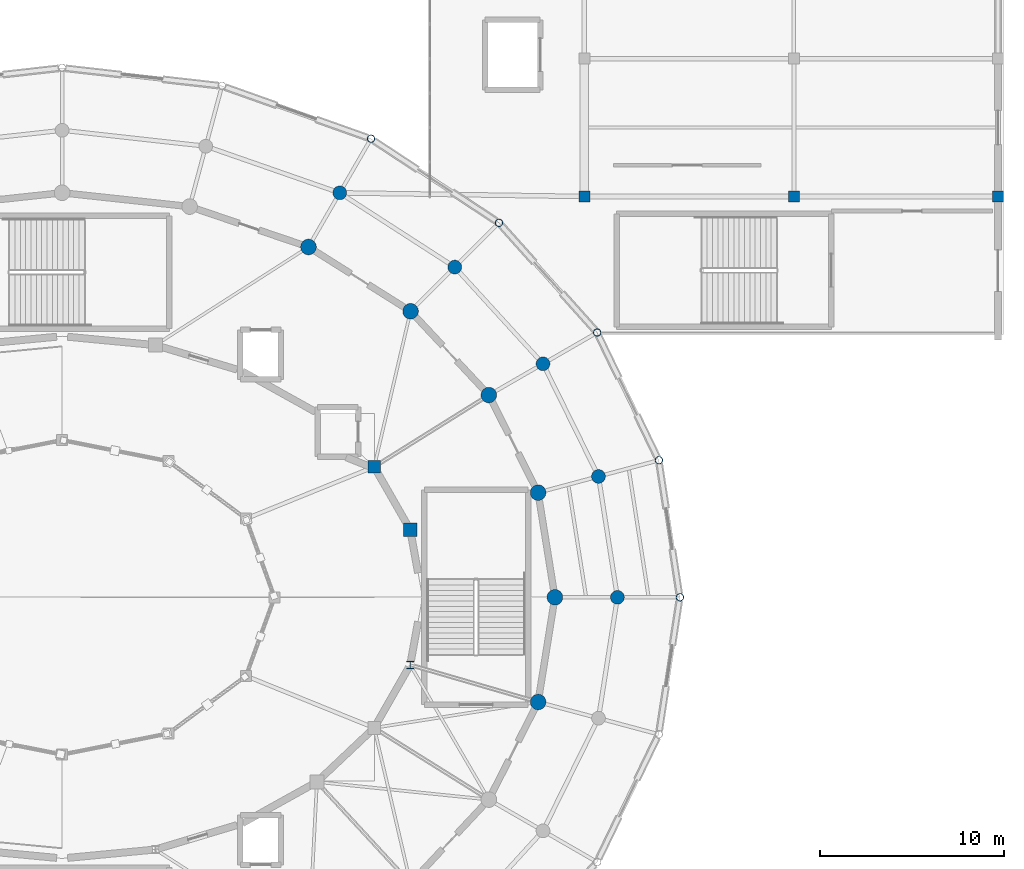
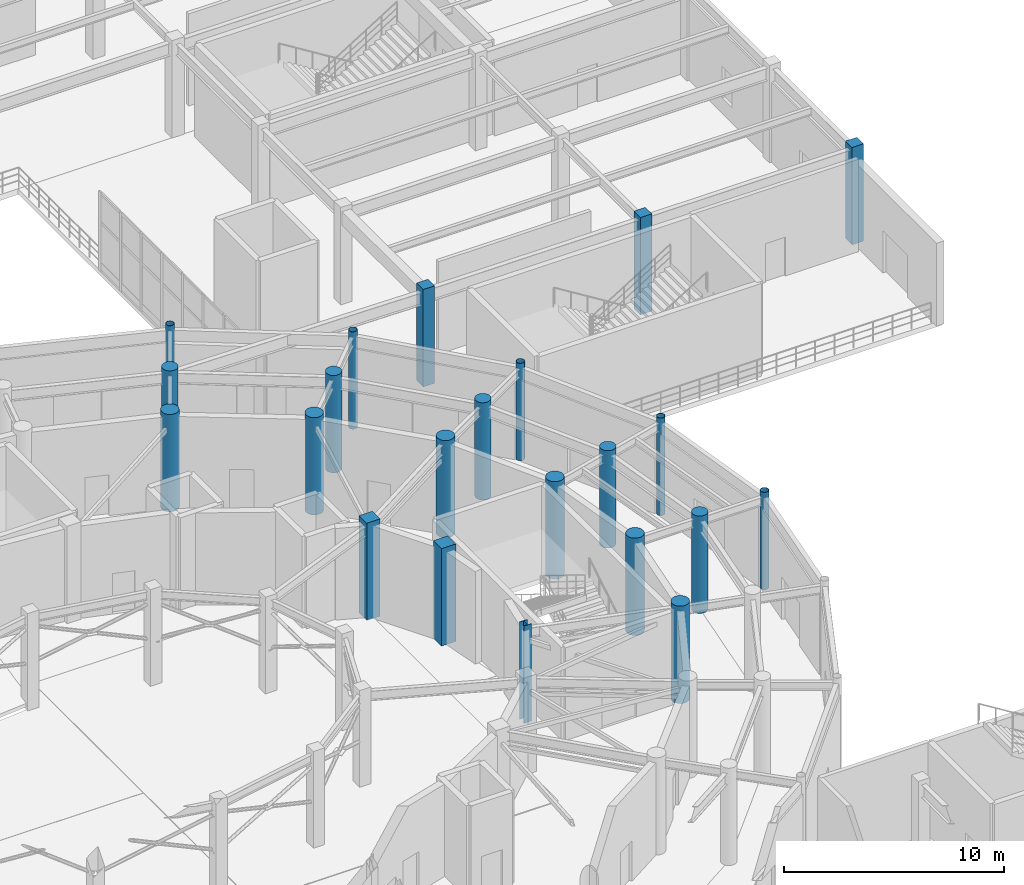
# One storey, part 17 of 93: 22 columns.
"""IFC4 building model written with IfcOpenShell, lengths in metres."""

from ifc_helpers import new_model, si_unit, direction, frame, origin, origin_2d, place, context, subcontext, project, spatial, rectangle, circle, hollow_circle, i_section, extrude, material, material_profile, profile_set, type_object, element, save


model = new_model("IFC4")

# Units and contexts
model_context = context("Model", 3, precision=1e-05, world=origin(), true_north=direction((0.0, 1.0)))
body_context = subcontext(model_context, "Body", "Model", "MODEL_VIEW")
ifc_project = project(units=[si_unit("LENGTHUNIT", "METRE"), si_unit("AREAUNIT", "SQUARE_METRE"), si_unit("VOLUMEUNIT", "CUBIC_METRE"), si_unit("PLANEANGLEUNIT", "RADIAN"), si_unit("MASSUNIT", "GRAM", prefix="KILO")], contexts=[model_context])

# Site, building, storey
site_placement = place(None, origin())
site = spatial("IfcSite", under=ifc_project, at=site_placement, CompositionType="ELEMENT")
building_placement = place(site_placement, origin())
building = spatial("IfcBuilding", under=site, at=building_placement, Name="Cinderbank Siding Concert Hall", CompositionType="ELEMENT")
storey_placement = place(building_placement, origin())
storey = spatial("IfcBuildingStorey", under=building, at=storey_placement, Name="L01", CompositionType="ELEMENT", Elevation=0.0)

# Columns
ifc_material_1 = material(Name="Structural steel hollow section AS/NZS 1163 Grade C350L0 (350 MPa)", Category="steel")
ifc_material_profile_1 = material_profile(ifc_material_1, hollow_circle(Radius=0.203125, WallThickness=0.01611328125, at=origin_2d()), Name="406.4x16.0CHS", Category="LoadBearing")
ifc_profile_set_1 = profile_set([ifc_material_profile_1], Name="Structural steel hollow section AS/NZS 1163 Grade C350L0 (350 MPa)")
column_type_1 = type_object("IfcColumnType", Name="C-CHS406 406.4x16.0CHS", PredefinedType="COLUMN", material=ifc_profile_set_1)
for number, where, z_axis, x_axis, name in (
    (1, (155.60009765625, 44.0, 0.0), (0.0, 0.0, 1.0), (1.0, 0.0, 0.0), "L01 Column COL-E4-01"),
    (2, (154.455078125, 51.4541015625, 0.0), (0.0, 0.0, 1.0), (1.0, 0.0, 0.0), "L01 Column COL-E4-02"),
    (3, (151.09912109375, 58.39990234375, 0.0), (0.0, 0.0, 1.0), (1.0, 0.0, 0.0), "L01 Column COL-E4-03"),
    (4, (145.759033203125, 64.364990234375, 0.0), (0.0, 0.0, 1.0), (1.0, 0.0, 0.0), "L01 Column COL-E4-04"),
    (5, (138.800048828125, 68.94189453125, 0.0), (0.0, 0.0, 1.0), (1.0, 0.0, 0.0), "L01 Column COL-E4-05"),
):
    element("IfcColumn", number, at=place(storey_placement, frame(where, z_axis=z_axis, x_axis=x_axis)), inside=storey, type_object=column_type_1, Name=name, PredefinedType="COLUMN", context=body_context, shape_type="SweptSolid", body=[
        extrude(hollow_circle(Radius=0.203125, WallThickness=0.01611328125, at=origin_2d()), origin(), (0.0, 0.0, 1.0), 5.39990234375),
    ])
ifc_material_2 = material(Name="Reinforced concrete AS 3600 N50 (50 MPa)", Category="concrete")
ifc_material_profile_2 = material_profile(ifc_material_2, rectangle(XDim=0.60009765625, YDim=0.60009765625, at=origin_2d()), Name="RC-COL-600x600", Category="LoadBearing")
ifc_profile_set_2 = profile_set([ifc_material_profile_2], Name="Reinforced concrete AS 3600 N50 (50 MPa)")
column_type_2 = type_object("IfcColumnType", Name="C-RC600 RC-COL-600x600", PredefinedType="COLUMN", material=ifc_profile_set_2)
for number, where, z_axis, x_axis, name in (
    (6, (150.39990234375, 65.800048828125, 0.0), (0.0, 0.0, 1.0), (1.0, 0.0, 0.0), "L01 Column COL-EL-1-1"),
    (7, (161.800048828125, 65.800048828125, 0.0), (0.0, 0.0, 1.0), (1.0, 0.0, 0.0), "L01 Column COL-EL-2-1"),
    (8, (172.89990234375, 65.800048828125, 0.0), (0.0, 0.0, 1.0), (1.0, 0.0, 0.0), "L01 Column COL-EL-3-1"),
):
    element("IfcColumn", number, at=place(storey_placement, frame(where, z_axis=z_axis, x_axis=x_axis)), inside=storey, type_object=column_type_2, Name=name, PredefinedType="COLUMN", context=body_context, shape_type="SweptSolid", body=[
        extrude(rectangle(XDim=0.60009765625, YDim=0.60009765625, at=origin_2d()), origin(), (0.0, 0.0, 1.0), 5.39990234375),
    ])
ifc_material_profile_3 = material_profile(ifc_material_2, rectangle(XDim=0.699951171875, YDim=0.699951171875, at=origin_2d()), Name="RC-COL-700x700", Category="LoadBearing")
ifc_profile_set_3 = profile_set([ifc_material_profile_3], Name="Reinforced concrete AS 3600 N50 (50 MPa)")
column_type_3 = type_object("IfcColumnType", Name="C-RC700 RC-COL-700x700", PredefinedType="COLUMN", material=ifc_profile_set_3)
column_1_placement = place(storey_placement, frame((138.97412109375, 51.10009765625, 0.0), z_axis=(0.0, 0.0, 1.0), x_axis=(1.0, 0.0, 0.0)))
element("IfcColumn", 9, at=column_1_placement, inside=storey, type_object=column_type_3, Name="L01 Column COL-E1-03", PredefinedType="COLUMN", context=body_context, shape_type="SweptSolid", body=[
    extrude(rectangle(XDim=0.699951171875, YDim=0.699951171875, at=origin_2d()), origin(), (0.0, 0.0, 1.0), 5.39990234375),
])
ifc_material_profile_4 = material_profile(ifc_material_2, rectangle(XDim=0.75, YDim=0.75, at=origin_2d()), Name="RC-COL-750x750", Category="LoadBearing")
ifc_profile_set_4 = profile_set([ifc_material_profile_4], Name="Reinforced concrete AS 3600 N50 (50 MPa)")
column_type_4 = type_object("IfcColumnType", Name="C-RC750 RC-COL-750x750", PredefinedType="COLUMN", material=ifc_profile_set_4)
column_2_placement = place(storey_placement, frame((140.931884765625, 47.675048828125, 0.0), z_axis=(0.0, 0.0, 1.0), x_axis=(1.0, 0.0, 0.0)))
element("IfcColumn", 10, at=column_2_placement, inside=storey, type_object=column_type_4, Name="L01 Column COL-E1-02", PredefinedType="COLUMN", context=body_context, shape_type="SweptSolid", body=[
    extrude(rectangle(XDim=0.75, YDim=0.75, at=origin_2d()), origin(), (0.0, 0.0, 1.0), 5.39990234375),
])
ifc_material_profile_5 = material_profile(ifc_material_2, circle(Radius=0.375, at=origin_2d()), Name="RC-COL-750DIA", Category="LoadBearing")
ifc_profile_set_5 = profile_set([ifc_material_profile_5], Name="Reinforced concrete AS 3600 N50 (50 MPa)")
column_type_5 = type_object("IfcColumnType", Name="C-RCD750 RC-COL-750DIA", PredefinedType="COLUMN", material=ifc_profile_set_5)
for number, where, z_axis, x_axis, name in (
    (11, (152.199951171875, 44.0, 0.0), (0.0, 0.0, 1.0), (1.0, 0.0, 0.0), "L01 Column COL-E3-01"),
    (12, (151.1708984375, 50.573974609375, 0.0), (0.0, 0.0, 1.0), (1.0, 0.0, 0.0), "L01 Column COL-E3-02"),
    (13, (148.154052734375, 56.699951171875, 0.0), (0.0, 0.0, 1.0), (1.0, 0.0, 0.0), "L01 Column COL-E3-03"),
    (14, (143.35498046875, 61.9609375, 0.0), (0.0, 0.0, 1.0), (1.0, 0.0, 0.0), "L01 Column COL-E3-04"),
    (15, (137.10009765625, 65.9970703125, 0.0), (0.0, 0.0, 1.0), (1.0, 0.0, 0.0), "L01 Column COL-E3-05"),
):
    element("IfcColumn", number, at=place(storey_placement, frame(where, z_axis=z_axis, x_axis=x_axis)), inside=storey, type_object=column_type_5, Name=name, PredefinedType="COLUMN", context=body_context, shape_type="SweptSolid", body=[
        extrude(circle(Radius=0.375, at=origin_2d()), origin(), (0.0, 0.0, 1.0), 5.39990234375),
    ])
ifc_material_profile_6 = material_profile(ifc_material_2, circle(Radius=0.425048828125, at=origin_2d()), Name="RC-COL-850DIA", Category="LoadBearing")
ifc_profile_set_6 = profile_set([ifc_material_profile_6], Name="Reinforced concrete AS 3600 N50 (50 MPa)")
column_type_6 = type_object("IfcColumnType", Name="C-RCD850 RC-COL-850DIA", PredefinedType="COLUMN", material=ifc_profile_set_6)
for number, where, z_axis, x_axis, name in (
    (16, (148.800048828125, 44.0, 0.0), (0.0, 0.0, 1.0), (1.0, 0.0, 0.0), "L01 Column COL-E2-01"),
    (17, (147.886962890625, 49.694091796875, 0.0), (0.0, 0.0, 1.0), (1.0, 0.0, 0.0), "L01 Column COL-E2-02"),
    (18, (145.208984375, 55.0, 0.0), (0.0, 0.0, 1.0), (1.0, 0.0, 0.0), "L01 Column COL-E2-03"),
    (19, (140.950927734375, 59.555908203125, 0.0), (0.0, 0.0, 1.0), (1.0, 0.0, 0.0), "L01 Column COL-E2-04"),
    (20, (135.39990234375, 63.052978515625, 0.0), (0.0, 0.0, 1.0), (1.0, 0.0, 0.0), "L01 Column COL-E2-05"),
    (21, (147.886962890625, 38.305908203125, 0.0), (0.0, 0.0, 1.0), (1.0, 0.0, 0.0), "L01 Column COL-E2-24"),
):
    element("IfcColumn", number, at=place(storey_placement, frame(where, z_axis=z_axis, x_axis=x_axis)), inside=storey, type_object=column_type_6, Name=name, PredefinedType="COLUMN", context=body_context, shape_type="SweptSolid", body=[
        extrude(circle(Radius=0.425048828125, at=origin_2d()), origin(), (0.0, 0.0, 1.0), 5.39990234375),
    ])
ifc_material_3 = material(Name="Structural steel welded plate section AS/NZS 3679.2 / AS/NZS 3678 Grade 350 (340 MPa)", Category="steel")
ifc_material_profile_7 = material_profile(ifc_material_3, i_section(OverallWidth=0.39990234375, OverallDepth=0.39990234375, WebThickness=0.01611328125, FlangeThickness=0.02490234375, at=origin_2d()), Name="400WC212", Category="LoadBearing")
ifc_profile_set_7 = profile_set([ifc_material_profile_7], Name="Structural steel welded plate section AS/NZS 3679.2 / AS/NZS 3678 Grade 350 (340 MPa)")
column_type_7 = type_object("IfcColumnType", Name="C-WC400 400WC212", PredefinedType="COLUMN", material=ifc_profile_set_7)
column_3_placement = place(storey_placement, frame((140.931884765625, 40.324951171875, 0.0), z_axis=(0.0, 0.0, 1.0), x_axis=(1.0, 0.0, 0.0)))
element("IfcColumn", 22, at=column_3_placement, inside=storey, type_object=column_type_7, Name="L01 Column COL-E1-24", PredefinedType="COLUMN", context=body_context, shape_type="SweptSolid", body=[
    extrude(i_section(OverallWidth=0.39990234375, OverallDepth=0.39990234375, WebThickness=0.01611328125, FlangeThickness=0.02490234375, at=origin_2d()), origin(), (0.0, 0.0, 1.0), 5.39990234375),
])

save(model, "model.ifc")
